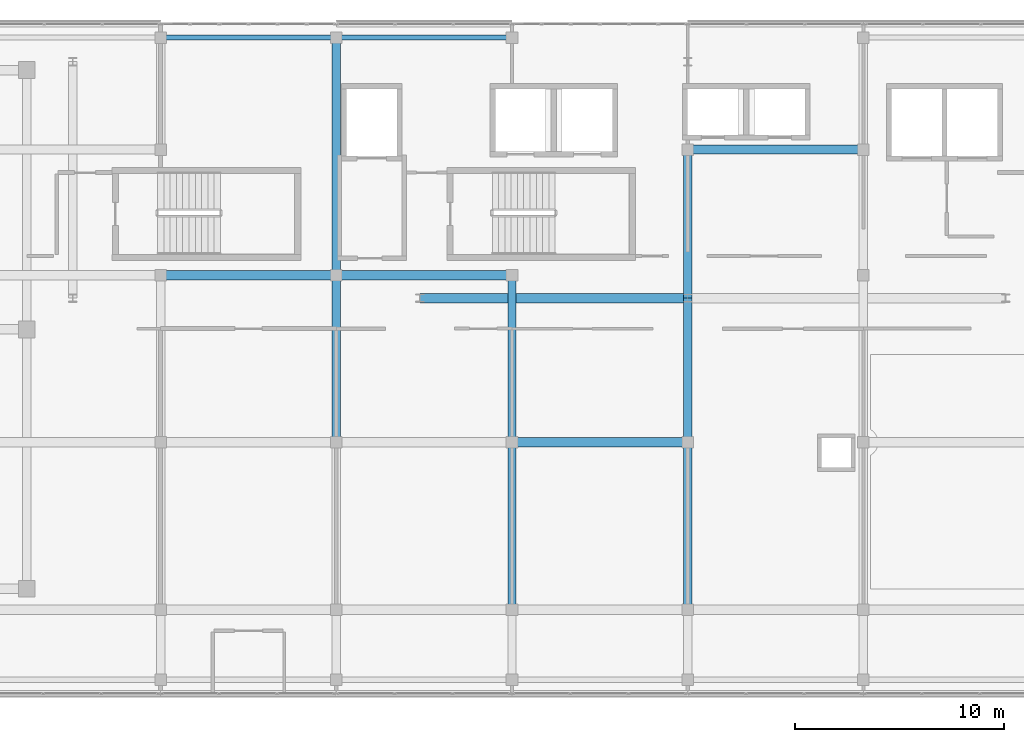
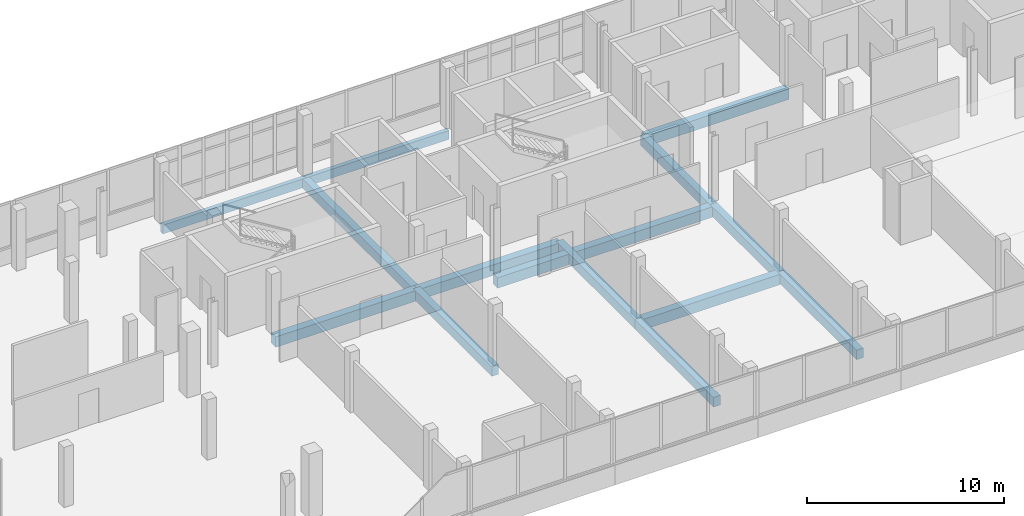
# One storey, part 33 of 67: 14 beams.
"""IFC4 building model written with IfcOpenShell, lengths in metres."""

from ifc_helpers import new_model, si_unit, direction, frame, origin, origin_2d, place, context, subcontext, project, spatial, rectangle, extrude, material, material_profile, profile_set, type_object, element, save


model = new_model("IFC4")

# Units and contexts
model_context = context("Model", 3, precision=1e-05, world=origin(), true_north=direction((0.0, 1.0)))
body_context = subcontext(model_context, "Body", "Model", "MODEL_VIEW")
ifc_project = project(units=[si_unit("LENGTHUNIT", "METRE"), si_unit("AREAUNIT", "SQUARE_METRE"), si_unit("VOLUMEUNIT", "CUBIC_METRE"), si_unit("PLANEANGLEUNIT", "RADIAN"), si_unit("MASSUNIT", "GRAM", prefix="KILO")], contexts=[model_context])

# Site, building, storey
site_placement = place(None, origin())
site = spatial("IfcSite", under=ifc_project, at=site_placement, CompositionType="ELEMENT")
building_placement = place(site_placement, origin())
building = spatial("IfcBuilding", under=site, at=building_placement, Name="Selatvlak General Hospital", CompositionType="ELEMENT")
storey_placement = place(building_placement, frame((0.0, 0.0, 35.39990234375)))
storey = spatial("IfcBuildingStorey", under=building, at=storey_placement, Name="L08", CompositionType="ELEMENT", Elevation=35.39990234375)

# Beams
ifc_material = material(Name="Concrete C40/50", Category="concrete")
ifc_material_profile_1 = material_profile(ifc_material, rectangle(XDim=0.449951171875, YDim=0.64990234375, at=origin_2d()), Name="RC-BM 450x650")
ifc_profile_set_1 = profile_set([ifc_material_profile_1], Name="Concrete C40/50")
beam_type_1 = type_object("IfcBeamType", Name="BM-G04", PredefinedType="BEAM", material=ifc_profile_set_1)
beam_1_placement = place(storey_placement, frame((106.800048828125, 100.0, -0.58984375), z_axis=(1.0, 0.0, 0.0), x_axis=(0.0, 1.0, 0.0)))
element("IfcBeam", 1, at=beam_1_placement, inside=storey, type_object=beam_type_1, Name="Beam BMR-L08-2597", PredefinedType="BEAM", context=body_context, shape_type="SweptSolid", body=[
    extrude(rectangle(XDim=0.449951171875, YDim=0.64990234375, at=origin_2d()), origin(), (0.0, 0.0, 1.0), 8.39990234375),
])
beam_2_placement = place(storey_placement, frame((102.39990234375, 106.89990234375, -0.58984375), z_axis=(1.0, 0.0, 0.0), x_axis=(0.0, 1.0, 0.0)))
element("IfcBeam", 2, at=beam_2_placement, inside=storey, type_object=beam_type_1, Name="Beam BMR-L08-2606", PredefinedType="BEAM", context=body_context, shape_type="SweptSolid", body=[
    extrude(rectangle(XDim=0.449951171875, YDim=0.64990234375, at=origin_2d()), origin(), (0.0, 0.0, 1.0), 12.800048828125),
])
beam_3_placement = place(storey_placement, frame((90.0, 108.0, -0.58984375), z_axis=(1.0, 0.0, 0.0), x_axis=(0.0, 1.0, 0.0)))
element("IfcBeam", 3, at=beam_3_placement, inside=storey, type_object=beam_type_1, Name="Beam BMR-L08-2613", PredefinedType="BEAM", context=body_context, shape_type="SweptSolid", body=[
    extrude(rectangle(XDim=0.449951171875, YDim=0.64990234375, at=origin_2d()), origin(), (0.0, 0.0, 1.0), 8.39990234375),
])
for number, where, z_axis, x_axis, name in (
    (4, (98.39990234375, 108.0, -0.58984375), (1.0, 0.0, 0.0), (0.0, 1.0, 0.0), "Beam BMR-L08-2614"),
    (5, (115.199951171875, 114.0, -0.58984375), (1.0, 0.0, 0.0), (0.0, 1.0, 0.0), "Beam BMR-L08-2624"),
):
    element("IfcBeam", number, at=place(storey_placement, frame(where, z_axis=z_axis, x_axis=x_axis)), inside=storey, type_object=beam_type_1, Name=name, PredefinedType="BEAM", context=body_context, shape_type="SweptSolid", body=[
        extrude(rectangle(XDim=0.449951171875, YDim=0.64990234375, at=origin_2d()), origin(), (0.0, 0.0, 1.0), 8.400146484375),
    ])
ifc_material_profile_2 = material_profile(ifc_material, rectangle(XDim=0.39990234375, YDim=0.60009765625, at=origin_2d()), Name="RC-BM 400x600")
ifc_profile_set_2 = profile_set([ifc_material_profile_2], Name="Concrete C40/50")
beam_type_2 = type_object("IfcBeamType", Name="BM-G05", PredefinedType="BEAM", material=ifc_profile_set_2)
beam_4_placement = place(storey_placement, frame((98.39990234375, 100.0, -0.56494140625), z_axis=(0.0, 1.0, 0.0), x_axis=(-1.0, 0.0, 0.0)))
element("IfcBeam", 6, at=beam_4_placement, inside=storey, type_object=beam_type_2, Name="Beam BMR-L08-2680", PredefinedType="BEAM", context=body_context, shape_type="SweptSolid", body=[
    extrude(rectangle(XDim=0.39990234375, YDim=0.60009765625, at=origin_2d()), origin(), (0.0, 0.0, 1.0), 8.0),
])
beam_5_placement = place(storey_placement, frame((98.39990234375, 108.0, -0.56494140625), z_axis=(0.0, 1.0, 0.0), x_axis=(-1.0, 0.0, 0.0)))
element("IfcBeam", 7, at=beam_5_placement, inside=storey, type_object=beam_type_2, Name="Beam BMR-L08-2681", PredefinedType="BEAM", context=body_context, shape_type="SweptSolid", body=[
    extrude(rectangle(XDim=0.39990234375, YDim=0.60009765625, at=origin_2d()), origin(), (0.0, 0.0, 1.0), 11.35009765625),
])
for number, where, z_axis, x_axis, name in (
    (8, (106.800048828125, 92.0, -0.56494140625), (0.0, 1.0, 0.0), (-1.0, 0.0, 0.0), "Beam BMR-L08-2683"),
    (9, (106.800048828125, 100.0, -0.56494140625), (0.0, 1.0, 0.0), (-1.0, 0.0, 0.0), "Beam BMR-L08-2684"),
    (10, (115.199951171875, 92.0, -0.56494140625), (0.0, 1.0, 0.0), (-1.0, 0.0, 0.0), "Beam BMR-L08-2686"),
):
    element("IfcBeam", number, at=place(storey_placement, frame(where, z_axis=z_axis, x_axis=x_axis)), inside=storey, type_object=beam_type_2, Name=name, PredefinedType="BEAM", context=body_context, shape_type="SweptSolid", body=[
        extrude(rectangle(XDim=0.39990234375, YDim=0.60009765625, at=origin_2d()), origin(), (0.0, 0.0, 1.0), 8.0),
    ])
beam_6_placement = place(storey_placement, frame((115.199951171875, 100.0, -0.56494140625), z_axis=(0.0, 1.0, 0.0), x_axis=(-1.0, 0.0, 0.0)))
element("IfcBeam", 11, at=beam_6_placement, inside=storey, type_object=beam_type_2, Name="Beam BMR-L08-2687", PredefinedType="BEAM", context=body_context, shape_type="SweptSolid", body=[
    extrude(rectangle(XDim=0.39990234375, YDim=0.60009765625, at=origin_2d()), origin(), (0.0, 0.0, 1.0), 6.89990234375),
])
beam_7_placement = place(storey_placement, frame((115.199951171875, 106.89990234375, -0.56494140625), z_axis=(0.0, 1.0, 0.0), x_axis=(-1.0, 0.0, 0.0)))
element("IfcBeam", 12, at=beam_7_placement, inside=storey, type_object=beam_type_2, Name="Beam BMR-L08-2688", PredefinedType="BEAM", context=body_context, shape_type="SweptSolid", body=[
    extrude(rectangle(XDim=0.39990234375, YDim=0.60009765625, at=origin_2d()), origin(), (0.0, 0.0, 1.0), 7.10009765625),
])
ifc_material_profile_3 = material_profile(ifc_material, rectangle(XDim=0.25, YDim=0.550048828125, at=origin_2d()), Name="RC-SP 250x550")
ifc_profile_set_3 = profile_set([ifc_material_profile_3], Name="Concrete C40/50")
beam_type_3 = type_object("IfcBeamType", Name="BM-SP2", PredefinedType="SPANDREL", material=ifc_profile_set_3)
beam_8_placement = place(storey_placement, frame((90.0, 119.35009765625, -0.539794921875), z_axis=(1.0, 0.0, 0.0), x_axis=(0.0, 1.0, 0.0)))
element("IfcBeam", 13, at=beam_8_placement, inside=storey, type_object=beam_type_3, Name="Beam BMR-L08-2634", PredefinedType="SPANDREL", context=body_context, shape_type="SweptSolid", body=[
    extrude(rectangle(XDim=0.25, YDim=0.550048828125, at=origin_2d()), origin(), (0.0, 0.0, 1.0), 8.39990234375),
])
beam_9_placement = place(storey_placement, frame((98.39990234375, 119.35009765625, -0.539794921875), z_axis=(1.0, 0.0, 0.0), x_axis=(0.0, 1.0, 0.0)))
element("IfcBeam", 14, at=beam_9_placement, inside=storey, type_object=beam_type_3, Name="Beam BMR-L08-2635", PredefinedType="SPANDREL", context=body_context, shape_type="SweptSolid", body=[
    extrude(rectangle(XDim=0.25, YDim=0.550048828125, at=origin_2d()), origin(), (0.0, 0.0, 1.0), 8.400146484375),
])

save(model, "model.ifc")
